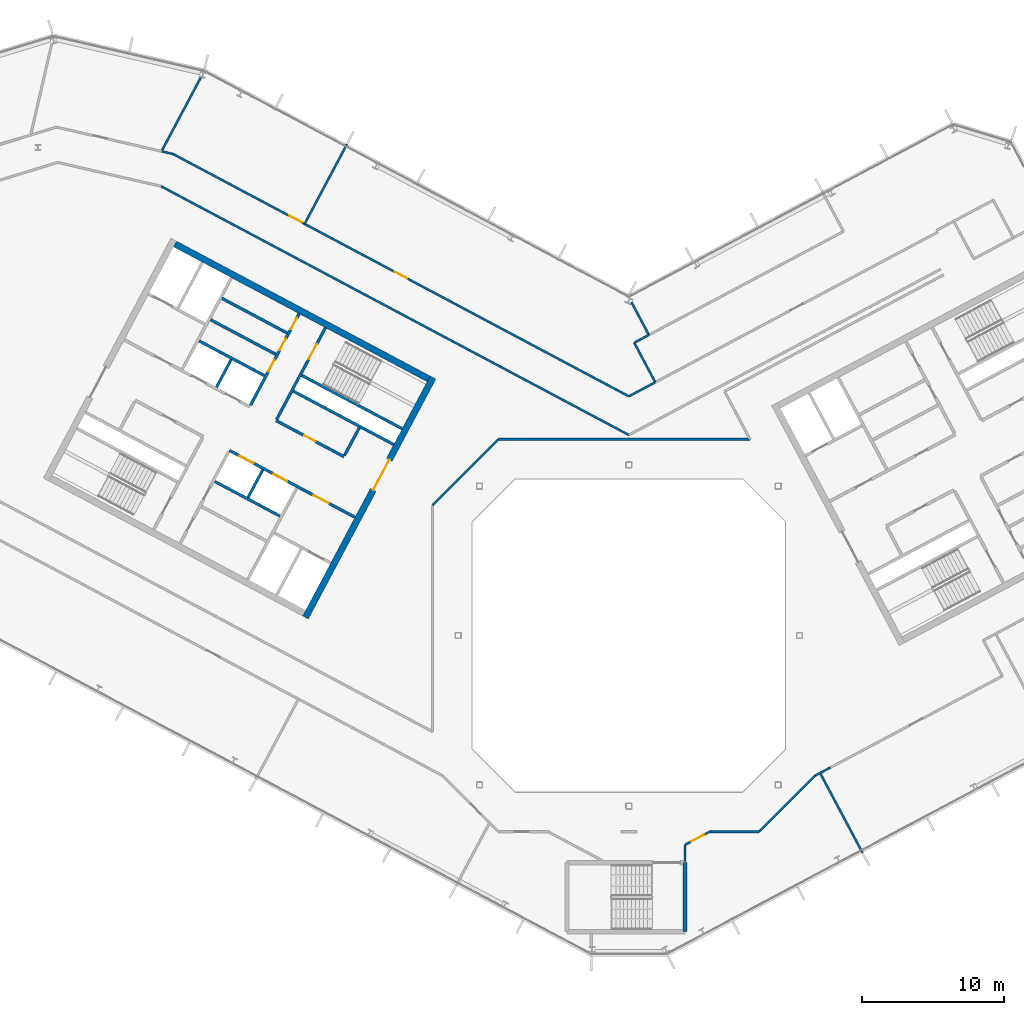
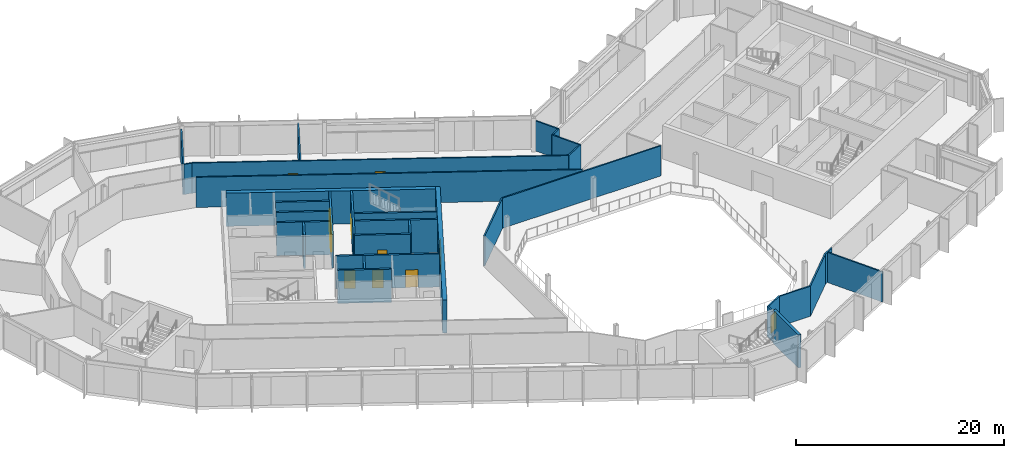
# One storey, part 15 of 26: 33 walls, 12 doors, 12 openings.
"""IFC4 building model written with IfcOpenShell, lengths in metres."""

from ifc_helpers import new_model, si_unit, direction, frame, frame_2d, origin, place, context, subcontext, project, spatial, rectangle, extrude, material, layer, layer_set, type_object, element, fill, save


model = new_model("IFC4")

# Units and contexts
model_context = context("Model", 3, precision=1e-05, world=origin(), true_north=direction((0.0, 1.0)))
body_context = subcontext(model_context, "Body", "Model", "MODEL_VIEW")
ifc_project = project(units=[si_unit("LENGTHUNIT", "METRE"), si_unit("AREAUNIT", "SQUARE_METRE"), si_unit("VOLUMEUNIT", "CUBIC_METRE"), si_unit("PLANEANGLEUNIT", "RADIAN"), si_unit("MASSUNIT", "GRAM", prefix="KILO")], contexts=[model_context])

# Site, building, storey
site_placement = place(None, origin())
site = spatial("IfcSite", under=ifc_project, at=site_placement, CompositionType="ELEMENT")
building_placement = place(site_placement, origin())
building = spatial("IfcBuilding", under=site, at=building_placement, Name="Cormorant Relay Tower", CompositionType="ELEMENT")
storey_placement = place(building_placement, frame((0.0, 0.0, 285.300048828125)))
storey = spatial("IfcBuildingStorey", under=building, at=storey_placement, Name="L64", CompositionType="ELEMENT", Elevation=285.300048828125)

# Walls
ifc_material_1 = material(Name="Concrete 40 MPa", Category="concrete")
ifc_layer_1 = layer(ifc_material_1, 0.199951171875)
ifc_layer_set_1 = layer_set([ifc_layer_1], Name="Core internal wall 200")
wall_type_1 = type_object("IfcWallType", Name="Core internal wall 200", PredefinedType="SOLIDWALL", material=ifc_layer_set_1)
wall_1_placement = place(storey_placement, frame((-25.744140625, 11.64990234375, 0.0), z_axis=(0.0, 0.0, 1.0), x_axis=(-0.469487830541, -0.882938942948, 0.0)))
element("IfcWall", 1, at=wall_1_placement, inside=storey, type_object=wall_type_1, Name="L64 core A shaft and room wall", PredefinedType="SOLIDWALL", context=body_context, shape_type="SweptSolid", body=[
    extrude(rectangle(XDim=2.2001953125, YDim=0.199951171875, at=frame_2d((1.10009765625, 0.0))), origin(), (0.0, 0.0, 1.0), 3.89990234375),
])
wall_2_placement = place(storey_placement, frame((-27.9658203125, 19.39990234375, 0.0), z_axis=(0.0, 0.0, 1.0), x_axis=(-0.4694473164, -0.882960484464, 0.0)))
element("IfcWall", 2, at=wall_2_placement, inside=storey, type_object=wall_type_1, Name="L64 core A shaft and room wall", PredefinedType="SOLIDWALL", context=body_context, shape_type="SweptSolid", body=[
    extrude(rectangle(XDim=2.199951171875, YDim=0.199951171875, at=frame_2d((1.10009765625, 0.0))), origin(), (0.0, 0.0, 1.0), 3.89990234375),
])
for number, where, z_axis, x_axis, name in (
    (3, (-24.02685546875, 21.26953125, 0.0), (0.0, 0.0, 1.0), (-0.882934506056, 0.469496174655, 0.0), "L64 core A shaft and room wall"),
    (4, (-24.824951171875, 19.7685546875, 0.0), (0.0, 0.0, 1.0), (-0.882934506056, 0.469496174655, 0.0), "L64 core A shaft and room wall"),
):
    element("IfcWall", number, at=place(storey_placement, frame(where, z_axis=z_axis, x_axis=x_axis)), inside=storey, type_object=wall_type_1, Name=name, PredefinedType="SOLIDWALL", context=body_context, shape_type="SweptSolid", body=[
        extrude(rectangle(XDim=5.199951171875, YDim=0.199951171875, at=frame_2d((2.60009765625, 0.0))), origin(), (0.0, 0.0, 1.0), 3.89990234375),
    ])
ifc_material_2 = material(Name="Concrete 50 MPa", Category="concrete")
ifc_layer_2 = layer(ifc_material_2, 0.199951171875)
ifc_layer_set_2 = layer_set([ifc_layer_2], Name="Core shaft wall 200")
wall_type_2 = type_object("IfcWallType", Name="Core shaft wall 200", PredefinedType="SHEAR", material=ifc_layer_set_2)
wall_3_placement = place(storey_placement, frame((-18.959716796875, 14.611328125, 0.0), z_axis=(0.0, 0.0, 1.0), x_axis=(-0.4694473164, -0.882960484464, 0.0)))
element("IfcWall", 5, at=wall_3_placement, inside=storey, type_object=wall_type_2, Name="L64 core A shaft wall", PredefinedType="SHEAR", context=body_context, shape_type="SweptSolid", body=[
    extrude(rectangle(XDim=2.199951171875, YDim=0.199951171875, at=frame_2d((1.10009765625, 0.0))), origin(), (0.0, 0.0, 1.0), 3.89990234375),
])

# Wall, opening, door
wall_4_placement = place(storey_placement, frame((-21.333251953125, 21.6494140625, 0.0), z_axis=(0.0, 0.0, 1.0), x_axis=(-0.469494272526, -0.882935517501, 0.0)))
wall_4 = element("IfcWall", 6, at=wall_4_placement, inside=storey, type_object=wall_type_2, Name="L64 core A shaft wall", PredefinedType="SHEAR", context=body_context, shape_type="SweptSolid", body=[
    extrude(rectangle(XDim=7.2998046875, YDim=0.199951171875, at=frame_2d((3.64990234375, 0.0))), origin(), (0.0, 0.0, 1.0), 3.89990234375),
])
opening_1_placement = place(wall_4_placement, frame((1.300048828125, 0.0, 0.0)))
opening_1 = element("IfcOpeningElement", 7, at=opening_1_placement, cuts=wall_4, Name="Opening CDB-038", PredefinedType="OPENING", context=body_context, shape_type="SweptSolid", body=[
    extrude(rectangle(XDim=1.199951171875, YDim=2.10009765625, at=frame_2d((0.60009765625, 1.050048828125))), frame((0.0, 0.10986328125, 0.0), z_axis=(0.0, -1.0, 0.0), x_axis=(1.0, 0.0, 0.0)), (0.0, 0.0, 1.0), 0.219970703125),
])
ifc_material_3 = material(Name="Steel fire door", Category="steel")
door_type_1 = type_object("IfcDoorType", Name="Core stair door 1200x2100", OperationType="SINGLE_SWING_LEFT", PredefinedType="DOOR", material=ifc_material_3)
door_1_placement = place(opening_1_placement, origin())
door_1 = element("IfcDoor", 8, at=door_1_placement, inside=storey, type_object=door_type_1, Name="Core stair door 1200x2100", OperationType="SINGLE_SWING_RIGHT", OverallHeight=2.10009765625, OverallWidth=1.199951171875, PredefinedType="DOOR", context=body_context, shape_type="SweptSolid", body=[
    extrude(rectangle(XDim=1.199951171875, YDim=2.10009765625, at=frame_2d((0.60009765625, 1.050048828125))), frame((0.0, 0.02490234375, 0.0), z_axis=(0.0, -1.0, 0.0), x_axis=(1.0, 0.0, 0.0)), (0.0, 0.0, 1.0), 0.050048828125),
])
fill(opening_1, door_1)

# Wall, openings, doors
wall_5_placement = place(storey_placement, frame((-23.1875, 22.635498046875, 0.0), z_axis=(0.0, 0.0, 1.0), x_axis=(-0.469454336211, -0.882956752176, 0.0)))
wall_5 = element("IfcWall", 9, at=wall_5_placement, inside=storey, type_object=wall_type_2, Name="L64 core A shaft wall", PredefinedType="SHEAR", context=body_context, shape_type="SweptSolid", body=[
    extrude(rectangle(XDim=7.300048828125, YDim=0.199951171875, at=frame_2d((3.64990234375, 0.0))), origin(), (0.0, 0.0, 1.0), 3.89990234375),
])
opening_2_placement = place(wall_5_placement, frame((0.35009765625, 0.0, 0.0)))
opening_2 = element("IfcOpeningElement", 10, at=opening_2_placement, cuts=wall_5, Name="Opening CDD-329", PredefinedType="OPENING", context=body_context, shape_type="SweptSolid", body=[
    extrude(rectangle(XDim=0.89990234375, YDim=2.10009765625, at=frame_2d((0.449951171875, 1.050048828125))), frame((0.0, 0.10986328125, 0.0), z_axis=(0.0, -1.0, 0.0), x_axis=(1.0, 0.0, 0.0)), (0.0, 0.0, 1.0), 0.219970703125),
])
opening_3_placement = place(wall_5_placement, frame((2.0, 0.0, 0.0)))
opening_3 = element("IfcOpeningElement", 11, at=opening_3_placement, cuts=wall_5, Name="Opening CDD-330", PredefinedType="OPENING", context=body_context, shape_type="SweptSolid", body=[
    extrude(rectangle(XDim=0.89990234375, YDim=2.10009765625, at=frame_2d((0.449951171875, 1.050048828125))), frame((0.0, 0.10986328125, 0.0), z_axis=(0.0, -1.0, 0.0), x_axis=(1.0, 0.0, 0.0)), (0.0, 0.0, 1.0), 0.219970703125),
])
opening_4_placement = place(wall_5_placement, frame((3.699951171875, 0.0, 0.0)))
opening_4 = element("IfcOpeningElement", 12, at=opening_4_placement, cuts=wall_5, Name="Opening CDD-331", PredefinedType="OPENING", context=body_context, shape_type="SweptSolid", body=[
    extrude(rectangle(XDim=0.89990234375, YDim=2.10009765625, at=frame_2d((0.449951171875, 1.050048828125))), frame((0.0, 0.10986328125, 0.0), z_axis=(0.0, -1.0, 0.0), x_axis=(1.0, 0.0, 0.0)), (0.0, 0.0, 1.0), 0.219970703125),
])
ifc_material_4 = material(Name="Steel fire door", Category="steel")
door_type_2 = type_object("IfcDoorType", Name="Core room door 900x2100", OperationType="SINGLE_SWING_LEFT", PredefinedType="DOOR", material=ifc_material_4)
door_2_placement = place(opening_2_placement, origin())
door_2 = element("IfcDoor", 13, at=door_2_placement, inside=storey, type_object=door_type_2, Name="Core room door 900x2100", OperationType="SINGLE_SWING_LEFT", OverallHeight=2.10009765625, OverallWidth=0.89990234375, PredefinedType="DOOR", context=body_context, shape_type="SweptSolid", body=[
    extrude(rectangle(XDim=0.89990234375, YDim=2.10009765625, at=frame_2d((0.449951171875, 1.050048828125))), frame((0.0, 0.02490234375, 0.0), z_axis=(0.0, -1.0, 0.0), x_axis=(1.0, 0.0, 0.0)), (0.0, 0.0, 1.0), 0.050048828125),
])
fill(opening_2, door_2)
door_3_placement = place(opening_3_placement, origin())
door_3 = element("IfcDoor", 14, at=door_3_placement, inside=storey, type_object=door_type_2, Name="Core room door 900x2100", OperationType="SINGLE_SWING_LEFT", OverallHeight=2.10009765625, OverallWidth=0.89990234375, PredefinedType="DOOR", context=body_context, shape_type="SweptSolid", body=[
    extrude(rectangle(XDim=0.89990234375, YDim=2.10009765625, at=frame_2d((0.449951171875, 1.050048828125))), frame((0.0, 0.02490234375, 0.0), z_axis=(0.0, -1.0, 0.0), x_axis=(1.0, 0.0, 0.0)), (0.0, 0.0, 1.0), 0.050048828125),
])
fill(opening_3, door_3)
door_4_placement = place(opening_4_placement, origin())
door_4 = element("IfcDoor", 15, at=door_4_placement, inside=storey, type_object=door_type_2, Name="Core room door 900x2100", OperationType="SINGLE_SWING_LEFT", OverallHeight=2.10009765625, OverallWidth=0.89990234375, PredefinedType="DOOR", context=body_context, shape_type="SweptSolid", body=[
    extrude(rectangle(XDim=0.89990234375, YDim=2.10009765625, at=frame_2d((0.449951171875, 1.050048828125))), frame((0.0, 0.02490234375, 0.0), z_axis=(0.0, -1.0, 0.0), x_axis=(1.0, 0.0, 0.0)), (0.0, 0.0, 1.0), 0.050048828125),
])
fill(opening_4, door_4)

# Walls
wall_6_placement = place(storey_placement, frame((-15.94189453125, 14.53564453125, 0.0), z_axis=(0.0, 0.0, 1.0), x_axis=(-0.882946947542, 0.469472776449, 0.0)))
element("IfcWall", 16, at=wall_6_placement, inside=storey, type_object=wall_type_2, Name="L64 core A shaft wall", PredefinedType="SHEAR", context=body_context, shape_type="SweptSolid", body=[
    extrude(rectangle(XDim=8.000244140625, YDim=0.199951171875, at=frame_2d((4.0, 0.0))), origin(), (0.0, 0.0, 1.0), 3.89990234375),
])
wall_7_placement = place(storey_placement, frame((-16.52880859375, 13.43212890625, 0.0), z_axis=(0.0, 0.0, 1.0), x_axis=(-0.88295287151, 0.469461634952, 0.0)))
element("IfcWall", 17, at=wall_7_placement, inside=storey, type_object=wall_type_2, Name="L64 core A shaft wall", PredefinedType="SHEAR", context=body_context, shape_type="SweptSolid", body=[
    extrude(rectangle(XDim=7.999755859375, YDim=0.199951171875, at=frame_2d((4.0, 0.0))), origin(), (0.0, 0.0, 1.0), 3.89990234375),
])
wall_8_placement = place(storey_placement, frame((-25.623046875, 18.267578125, 0.0), z_axis=(0.0, 0.0, 1.0), x_axis=(-0.882953967957, 0.469459572775, 0.0)))
element("IfcWall", 18, at=wall_8_placement, inside=storey, type_object=wall_type_2, Name="L64 core A shaft wall", PredefinedType="SHEAR", context=body_context, shape_type="SweptSolid", body=[
    extrude(rectangle(XDim=5.199951171875, YDim=0.199951171875, at=frame_2d((2.60009765625, 0.0))), origin(), (0.0, 0.0, 1.0), 3.89990234375),
])

# Wall, opening, door
wall_9_placement = place(storey_placement, frame((-20.03955078125, 12.58056640625, 0.0), z_axis=(0.0, 0.0, 1.0), x_axis=(-0.882942972946, 0.469480251476, 0.0)))
wall_9 = element("IfcWall", 19, at=wall_9_placement, inside=storey, type_object=wall_type_2, Name="L64 core A shaft wall", PredefinedType="SHEAR", context=body_context, shape_type="SweptSolid", body=[
    extrude(rectangle(XDim=5.39990234375, YDim=0.199951171875, at=frame_2d((2.699951171875, 0.0))), origin(), (0.0, 0.0, 1.0), 3.89990234375),
])
opening_5_placement = place(wall_9_placement, frame((2.25, 0.0, 0.0)))
opening_5 = element("IfcOpeningElement", 20, at=opening_5_placement, cuts=wall_9, Name="Opening CDD-319", PredefinedType="OPENING", context=body_context, shape_type="SweptSolid", body=[
    extrude(rectangle(XDim=0.89990234375, YDim=2.10009765625, at=frame_2d((0.449951171875, 1.050048828125))), frame((0.0, 0.10986328125, 0.0), z_axis=(0.0, -1.0, 0.0), x_axis=(1.0, 0.0, 0.0)), (0.0, 0.0, 1.0), 0.219970703125),
])
door_5_placement = place(opening_5_placement, origin())
door_5 = element("IfcDoor", 21, at=door_5_placement, inside=storey, type_object=door_type_2, Name="Core room door 900x2100", OperationType="SINGLE_SWING_LEFT", OverallHeight=2.10009765625, OverallWidth=0.89990234375, PredefinedType="DOOR", context=body_context, shape_type="SweptSolid", body=[
    extrude(rectangle(XDim=0.89990234375, YDim=2.10009765625, at=frame_2d((0.449951171875, 1.050048828125))), frame((0.0, 0.02490234375, 0.0), z_axis=(0.0, -1.0, 0.0), x_axis=(1.0, 0.0, 0.0)), (0.0, 0.0, 1.0), 0.050048828125),
])
fill(opening_5, door_5)

# Wall, openings, doors
wall_10_placement = place(storey_placement, frame((-19.251708984375, 8.31103515625, 0.0), z_axis=(0.0, 0.0, 1.0), x_axis=(-0.882955722218, 0.469456273365, 0.0)))
wall_10 = element("IfcWall", 22, at=wall_10_placement, inside=storey, type_object=wall_type_2, Name="L64 core A shaft wall", PredefinedType="SHEAR", context=body_context, shape_type="SweptSolid", body=[
    extrude(rectangle(XDim=10.0, YDim=0.199951171875, at=frame_2d((5.0, 0.0))), origin(), (0.0, 0.0, 1.0), 3.89990234375),
])
opening_6_placement = place(wall_10_placement, frame((2.10009765625, 0.0, 0.0)))
opening_6 = element("IfcOpeningElement", 23, at=opening_6_placement, cuts=wall_10, Name="Opening CDC-033", PredefinedType="OPENING", context=body_context, shape_type="SweptSolid", body=[
    extrude(rectangle(XDim=1.199951171875, YDim=2.10009765625, at=frame_2d((0.60009765625, 1.050048828125))), frame((0.0, 0.10986328125, 0.0), z_axis=(0.0, -1.0, 0.0), x_axis=(1.0, 0.0, 0.0)), (0.0, 0.0, 1.0), 0.219970703125),
])
opening_7_placement = place(wall_10_placement, frame((5.39990234375, 0.0, 0.0)))
opening_7 = element("IfcOpeningElement", 24, at=opening_7_placement, cuts=wall_10, Name="Opening LD1-065", PredefinedType="OPENING", context=body_context, shape_type="SweptSolid", body=[
    extrude(rectangle(XDim=1.10009765625, YDim=2.10009765625, at=frame_2d((0.550048828125, 1.050048828125))), frame((0.0, 0.10986328125, 0.0), z_axis=(0.0, -1.0, 0.0), x_axis=(1.0, 0.0, 0.0)), (0.0, 0.0, 1.0), 0.219970703125),
])
opening_8_placement = place(wall_10_placement, frame((8.10009765625, 0.0, 0.0)))
opening_8 = element("IfcOpeningElement", 25, at=opening_8_placement, cuts=wall_10, Name="Opening LD1-066", PredefinedType="OPENING", context=body_context, shape_type="SweptSolid", body=[
    extrude(rectangle(XDim=1.10009765625, YDim=2.10009765625, at=frame_2d((0.550048828125, 1.050048828125))), frame((0.0, 0.10986328125, 0.0), z_axis=(0.0, -1.0, 0.0), x_axis=(1.0, 0.0, 0.0)), (0.0, 0.0, 1.0), 0.219970703125),
])
ifc_material_5 = material(Name="Steel fire door", Category="steel")
door_type_3 = type_object("IfcDoorType", Name="Core lobby door 1200x2100", OperationType="SINGLE_SWING_LEFT", PredefinedType="DOOR", material=ifc_material_5)
door_6_placement = place(opening_6_placement, origin())
door_6 = element("IfcDoor", 26, at=door_6_placement, inside=storey, type_object=door_type_3, Name="Core lobby door 1200x2100", OperationType="SINGLE_SWING_RIGHT", OverallHeight=2.10009765625, OverallWidth=1.199951171875, PredefinedType="DOOR", context=body_context, shape_type="SweptSolid", body=[
    extrude(rectangle(XDim=1.199951171875, YDim=2.10009765625, at=frame_2d((0.60009765625, 1.050048828125))), frame((0.0, 0.02490234375, 0.0), z_axis=(0.0, -1.0, 0.0), x_axis=(1.0, 0.0, 0.0)), (0.0, 0.0, 1.0), 0.050048828125),
])
fill(opening_6, door_6)
ifc_material_6 = material(Name="Stainless steel 316", Category="steel")
door_type_4 = type_object("IfcDoorType", Name="Lift landing door 1100x2100", OperationType="DOUBLE_DOOR_SLIDING", PredefinedType="DOOR", material=ifc_material_6)
door_7_placement = place(opening_7_placement, origin())
door_7 = element("IfcDoor", 27, at=door_7_placement, inside=storey, type_object=door_type_4, Name="HR1 landing door", OperationType="DOUBLE_DOOR_SLIDING", OverallHeight=2.10009765625, OverallWidth=1.10009765625, PredefinedType="DOOR", context=body_context, shape_type="SweptSolid", body=[
    extrude(rectangle(XDim=1.10009765625, YDim=2.10009765625, at=frame_2d((0.550048828125, 1.050048828125))), frame((0.0, 0.02490234375, 0.0), z_axis=(0.0, -1.0, 0.0), x_axis=(1.0, 0.0, 0.0)), (0.0, 0.0, 1.0), 0.050048828125),
])
fill(opening_7, door_7)
door_8_placement = place(opening_8_placement, origin())
door_8 = element("IfcDoor", 28, at=door_8_placement, inside=storey, type_object=door_type_4, Name="HR2 landing door", OperationType="DOUBLE_DOOR_SLIDING", OverallHeight=2.10009765625, OverallWidth=1.10009765625, PredefinedType="DOOR", context=body_context, shape_type="SweptSolid", body=[
    extrude(rectangle(XDim=1.10009765625, YDim=2.10009765625, at=frame_2d((0.550048828125, 1.050048828125))), frame((0.0, 0.02490234375, 0.0), z_axis=(0.0, -1.0, 0.0), x_axis=(1.0, 0.0, 0.0)), (0.0, 0.0, 1.0), 0.050048828125),
])
fill(opening_8, door_8)

# Wall
wall_11_placement = place(storey_placement, frame((-24.5283203125, 8.3984375, 0.0), z_axis=(0.0, 0.0, 1.0), x_axis=(-0.882953967957, 0.469459572775, 0.0)))
element("IfcWall", 29, at=wall_11_placement, inside=storey, type_object=wall_type_2, Name="L64 core A shaft wall", PredefinedType="SHEAR", context=body_context, shape_type="SweptSolid", body=[
    extrude(rectangle(XDim=5.199951171875, YDim=0.199951171875, at=frame_2d((2.60009765625, 0.0))), origin(), (0.0, 0.0, 1.0), 3.89990234375),
])

# Wall, opening, door
ifc_material_7 = material(Name="Concrete 50 MPa", Category="concrete")
ifc_layer_3 = layer(ifc_material_7, 0.449951171875)
ifc_layer_set_3 = layer_set([ifc_layer_3], Name="Core wall 450")
wall_type_3 = type_object("IfcWallType", Name="Core wall 450", PredefinedType="SHEAR", material=ifc_layer_set_3)
wall_12_placement = place(storey_placement, frame((-13.771484375, 18.138427734375, 0.0), z_axis=(0.0, 0.0, 1.0), x_axis=(-0.469467968382, -0.882949504028, 0.0)))
wall_12 = element("IfcWall", 30, at=wall_12_placement, inside=storey, type_object=wall_type_3, Name="L64 core A wall", PredefinedType="SHEAR", context=body_context, shape_type="SweptSolid", body=[
    extrude(rectangle(XDim=19.099853515625, YDim=0.449951171875, at=frame_2d((9.5498046875, 0.0))), origin(), (0.0, 0.0, 1.0), 3.89990234375),
])
opening_9_placement = place(wall_12_placement, frame((6.550048828125, 0.0, 0.0)))
opening_9 = element("IfcOpeningElement", 31, at=opening_9_placement, cuts=wall_12, Name="Opening CDA-050", PredefinedType="OPENING", context=body_context, shape_type="SweptSolid", body=[
    extrude(rectangle(XDim=2.39990234375, YDim=2.39990234375, at=frame_2d((1.199951171875, 1.199951171875))), frame((0.0, 0.23486328125, 0.0), z_axis=(0.0, -1.0, 0.0), x_axis=(1.0, 0.0, 0.0)), (0.0, 0.0, 1.0), 0.469970703125),
])
ifc_material_8 = material(Name="Steel fire door", Category="steel")
door_type_5 = type_object("IfcDoorType", Name="Core lobby door 2400x2400", OperationType="DOUBLE_DOOR_SINGLE_SWING", PredefinedType="DOOR", material=ifc_material_8)
door_9_placement = place(opening_9_placement, origin())
door_9 = element("IfcDoor", 32, at=door_9_placement, inside=storey, type_object=door_type_5, Name="Core lobby door 2400x2400", OperationType="DOUBLE_DOOR_SINGLE_SWING", OverallHeight=2.39990234375, OverallWidth=2.39990234375, PredefinedType="DOOR", context=body_context, shape_type="SweptSolid", body=[
    extrude(rectangle(XDim=2.39990234375, YDim=2.39990234375, at=frame_2d((1.199951171875, 1.199951171875))), frame((0.0, 0.02490234375, 0.0), z_axis=(0.0, -1.0, 0.0), x_axis=(1.0, 0.0, 0.0)), (0.0, 0.0, 1.0), 0.050048828125),
])
fill(opening_9, door_9)

# Walls
wall_13_placement = place(storey_placement, frame((-14.07568359375, 18.04541015625, 0.0), z_axis=(0.0, 0.0, 1.0), x_axis=(-0.882947755831, 0.46947125628, 0.0)))
element("IfcWall", 33, at=wall_13_placement, inside=storey, type_object=wall_type_3, Name="L64 core A wall", PredefinedType="SHEAR", context=body_context, shape_type="SweptSolid", body=[
    extrude(rectangle(XDim=20.2001953125, YDim=0.449951171875, at=frame_2d((10.10009765625, 0.0))), origin(), (0.0, 0.0, 1.0), 3.89990234375),
])
ifc_material_9 = material(Name="Gypsum board fire partition")
ifc_layer_4 = layer(ifc_material_9, 0.14990234375)
ifc_layer_set_4 = layer_set([ifc_layer_4], Name="Corridor partition 150 EI 60")
wall_type_4 = type_object("IfcWallType", Name="Corridor partition 150 EI 60", PredefinedType="PARTITIONING", material=ifc_layer_set_4)
wall_14_placement = place(storey_placement, frame((-32.89404296875, 31.590087890625, 0.0), z_axis=(0.0, 0.0, 1.0), x_axis=(0.882948512555, -0.469469833085, 0.0)))
element("IfcWall", 34, at=wall_14_placement, inside=storey, type_object=wall_type_4, Name="wall/L64/part/023", PredefinedType="PARTITIONING", context=body_context, shape_type="SweptSolid", body=[
    extrude(rectangle(XDim=37.2548828125, YDim=0.14990234375, at=frame_2d((18.62744140625, 0.0))), origin(), (0.0, 0.0, 1.0), 3.5400390625),
])
wall_15_placement = place(storey_placement, frame((8.51806640625, 13.800048828125, 0.0), z_axis=(0.0, 0.0, 1.0), x_axis=(-1.0, 0.0, 0.0)))
element("IfcWall", 35, at=wall_15_placement, inside=storey, type_object=wall_type_4, Name="wall/L64/part/027", PredefinedType="PARTITIONING", context=body_context, shape_type="SweptSolid", body=[
    extrude(rectangle(XDim=17.677978515625, YDim=0.14990234375, at=frame_2d((8.8388671875, 0.0))), origin(), (0.0, 0.0, 1.0), 3.5400390625),
])
wall_16_placement = place(storey_placement, frame((-9.159912109375, 13.800048828125, 0.0), z_axis=(0.0, 0.0, 1.0), x_axis=(-0.707106781187, -0.707106781187, 0.0)))
element("IfcWall", 36, at=wall_16_placement, inside=storey, type_object=wall_type_4, Name="wall/L64/part/028", PredefinedType="PARTITIONING", context=body_context, shape_type="SweptSolid", body=[
    extrude(rectangle(XDim=6.562255859375, YDim=0.14990234375, at=frame_2d((3.28125, 0.0))), origin(), (0.0, 0.0, 1.0), 3.5400390625),
])
wall_17_placement = place(storey_placement, frame((-32.0458984375, 33.85791015625, 0.0), z_axis=(0.0, 0.0, 1.0), x_axis=(-0.97423893818, 0.225518272727, 0.0)))
element("IfcWall", 37, at=wall_17_placement, inside=storey, type_object=wall_type_4, Name="wall/L64/part/042", PredefinedType="PARTITIONING", context=body_context, shape_type="SweptSolid", body=[
    extrude(rectangle(XDim=0.81201171875, YDim=0.14990234375, at=frame_2d((0.406005859375, 0.0))), origin(), (0.0, 0.0, 1.0), 3.5400390625),
])

# Wall, openings, doors
wall_18_placement = place(storey_placement, frame((-32.0458984375, 33.85791015625, 0.0), z_axis=(0.0, 0.0, 1.0), x_axis=(0.882950883098, -0.469465374694, 0.0)))
wall_18 = element("IfcWall", 38, at=wall_18_placement, inside=storey, type_object=wall_type_4, Name="wall/L64/part/043", PredefinedType="PARTITIONING", context=body_context, shape_type="SweptSolid", body=[
    extrude(rectangle(XDim=36.294189453125, YDim=0.14990234375, at=frame_2d((18.14697265625, 0.0))), origin(), (0.0, 0.0, 1.0), 3.5400390625),
])
opening_10_placement = place(wall_18_placement, frame((17.64990234375, 0.0, 0.0)))
opening_10 = element("IfcOpeningElement", 39, at=opening_10_placement, cuts=wall_18, Name="Opening DS-221", PredefinedType="OPENING", context=body_context, shape_type="SweptSolid", body=[
    extrude(rectangle(XDim=1.0, YDim=2.10009765625, at=frame_2d((0.5, 1.050048828125))), frame((0.0, 0.0849609375, 0.0), z_axis=(0.0, -1.0, 0.0), x_axis=(1.0, 0.0, 0.0)), (0.0, 0.0, 1.0), 0.169921875),
])
opening_11_placement = place(wall_18_placement, frame((9.25, 0.0, 0.0)))
opening_11 = element("IfcOpeningElement", 40, at=opening_11_placement, cuts=wall_18, Name="Opening DS-222", PredefinedType="OPENING", context=body_context, shape_type="SweptSolid", body=[
    extrude(rectangle(XDim=1.0, YDim=2.10009765625, at=frame_2d((0.5, 1.050048828125))), frame((0.0, 0.0849609375, 0.0), z_axis=(0.0, -1.0, 0.0), x_axis=(1.0, 0.0, 0.0)), (0.0, 0.0, 1.0), 0.169921875),
])
ifc_material_10 = material(Name="Timber door leaf", Category="wood")
door_type_6 = type_object("IfcDoorType", Name="Suite door 1000x2100", OperationType="SINGLE_SWING_LEFT", PredefinedType="DOOR", material=ifc_material_10)
door_10_placement = place(opening_10_placement, origin())
door_10 = element("IfcDoor", 41, at=door_10_placement, inside=storey, type_object=door_type_6, Name="door/L64/006", OperationType="SINGLE_SWING_RIGHT", OverallHeight=2.10009765625, OverallWidth=1.0, PredefinedType="DOOR", context=body_context, shape_type="SweptSolid", body=[
    extrude(rectangle(XDim=1.0, YDim=2.10009765625, at=frame_2d((0.5, 1.050048828125))), frame((0.0, 0.02490234375, 0.0), z_axis=(0.0, -1.0, 0.0), x_axis=(1.0, 0.0, 0.0)), (0.0, 0.0, 1.0), 0.050048828125),
])
fill(opening_10, door_10)
door_11_placement = place(opening_11_placement, origin())
door_11 = element("IfcDoor", 42, at=door_11_placement, inside=storey, type_object=door_type_6, Name="door/L64/007", OperationType="SINGLE_SWING_RIGHT", OverallHeight=2.10009765625, OverallWidth=1.0, PredefinedType="DOOR", context=body_context, shape_type="SweptSolid", body=[
    extrude(rectangle(XDim=1.0, YDim=2.10009765625, at=frame_2d((0.5, 1.050048828125))), frame((0.0, 0.02490234375, 0.0), z_axis=(0.0, -1.0, 0.0), x_axis=(1.0, 0.0, 0.0)), (0.0, 0.0, 1.0), 0.050048828125),
])
fill(opening_11, door_11)

# Wall
wall_19_placement = place(storey_placement, frame((0.0, 16.819091796875, 0.0), z_axis=(0.0, 0.0, 1.0), x_axis=(0.882886662494, 0.4695861382, 0.0)))
element("IfcWall", 43, at=wall_19_placement, inside=storey, type_object=wall_type_4, Name="wall/L64/part/044", PredefinedType="PARTITIONING", context=body_context, shape_type="SweptSolid", body=[
    extrude(rectangle(XDim=2.1123046875, YDim=0.14990234375, at=frame_2d((1.05615234375, 0.0))), origin(), (0.0, 0.0, 1.0), 3.5400390625),
])

# Wall, opening, door
wall_20_placement = place(storey_placement, frame((5.756103515625, -13.758056640625, 0.0), z_axis=(0.0, 0.0, 1.0), x_axis=(-0.883026069627, -0.469323939683, 0.0)))
wall_20 = element("IfcWall", 44, at=wall_20_placement, inside=storey, type_object=wall_type_4, Name="wall/L64/part/057", PredefinedType="PARTITIONING", context=body_context, shape_type="SweptSolid", body=[
    extrude(rectangle(XDim=2.04541015625, YDim=0.14990234375, at=frame_2d((1.022705078125, 0.0))), origin(), (0.0, 0.0, 1.0), 3.5400390625),
])
opening_12_placement = place(wall_20_placement, frame((0.5400390625, 0.0, 0.0)))
opening_12 = element("IfcOpeningElement", 45, at=opening_12_placement, cuts=wall_20, Name="Opening DS-217", PredefinedType="OPENING", context=body_context, shape_type="SweptSolid", body=[
    extrude(rectangle(XDim=1.0, YDim=2.10009765625, at=frame_2d((0.5, 1.050048828125))), frame((0.0, 0.0849609375, 0.0), z_axis=(0.0, -1.0, 0.0), x_axis=(1.0, 0.0, 0.0)), (0.0, 0.0, 1.0), 0.169921875),
])
door_12_placement = place(opening_12_placement, origin())
door_12 = element("IfcDoor", 46, at=door_12_placement, inside=storey, type_object=door_type_6, Name="door/L64/002", OperationType="SINGLE_SWING_RIGHT", OverallHeight=2.10009765625, OverallWidth=1.0, PredefinedType="DOOR", context=body_context, shape_type="SweptSolid", body=[
    extrude(rectangle(XDim=1.0, YDim=2.10009765625, at=frame_2d((0.5, 1.050048828125))), frame((0.0, 0.02490234375, 0.0), z_axis=(0.0, -1.0, 0.0), x_axis=(1.0, 0.0, 0.0)), (0.0, 0.0, 1.0), 0.050048828125),
])
fill(opening_12, door_12)

# Walls
wall_21_placement = place(storey_placement, frame((3.949951171875, -14.718017578125, 0.0), z_axis=(0.0, 0.0, 1.0), x_axis=(0.0, -1.0, 0.0)))
element("IfcWall", 47, at=wall_21_placement, inside=storey, type_object=wall_type_4, Name="wall/L64/part/058", PredefinedType="PARTITIONING", context=body_context, shape_type="SweptSolid", body=[
    extrude(rectangle(XDim=1.156982421875, YDim=0.14990234375, at=frame_2d((0.57861328125, 0.0))), origin(), (0.0, 0.0, 1.0), 3.5400390625),
])
wall_22_placement = place(storey_placement, frame((13.114013671875, -9.845947265625, 0.0), z_axis=(0.0, 0.0, 1.0), x_axis=(-0.707106781187, -0.707106781187, 0.0)))
element("IfcWall", 48, at=wall_22_placement, inside=storey, type_object=wall_type_4, Name="wall/L64/part/059", PredefinedType="PARTITIONING", context=body_context, shape_type="SweptSolid", body=[
    extrude(rectangle(XDim=5.592041015625, YDim=0.14990234375, at=frame_2d((2.7958984375, 0.0))), origin(), (0.0, 0.0, 1.0), 3.5400390625),
])
wall_23_placement = place(storey_placement, frame((9.159912109375, -13.800048828125, 0.0), z_axis=(0.0, 0.0, 1.0), x_axis=(-1.0, 0.0, 0.0)))
element("IfcWall", 49, at=wall_23_placement, inside=storey, type_object=wall_type_4, Name="wall/L64/part/060", PredefinedType="PARTITIONING", context=body_context, shape_type="SweptSolid", body=[
    extrude(rectangle(XDim=3.447998046875, YDim=0.14990234375, at=frame_2d((1.72412109375, 0.0))), origin(), (0.0, 0.0, 1.0), 3.5400390625),
])
wall_24_placement = place(storey_placement, frame((14.1708984375, -9.283935546875, 0.0), z_axis=(0.0, 0.0, 1.0), x_axis=(-0.88292815798, -0.469508112652, 0.0)))
element("IfcWall", 50, at=wall_24_placement, inside=storey, type_object=wall_type_4, Name="wall/L64/part/062", PredefinedType="PARTITIONING", context=body_context, shape_type="SweptSolid", body=[
    extrude(rectangle(XDim=1.197021484375, YDim=0.14990234375, at=frame_2d((0.5986328125, 0.0))), origin(), (0.0, 0.0, 1.0), 3.5400390625),
])
ifc_material_11 = material(Name="Concrete 50 MPa", Category="concrete")
ifc_layer_5 = layer(ifc_material_11, 0.300048828125)
ifc_layer_set_5 = layer_set([ifc_layer_5], Name="Remote stair wall 300")
wall_type_5 = type_object("IfcWallType", Name="Remote stair wall 300", PredefinedType="SHEAR", material=ifc_layer_set_5)
wall_25_placement = place(storey_placement, frame((3.949951171875, -15.97509765625, 0.0), z_axis=(0.0, 0.0, 1.0), x_axis=(0.0, -1.0, 0.0)))
element("IfcWall", 51, at=wall_25_placement, inside=storey, type_object=wall_type_5, Name="L64 exit stair RK1 wall", PredefinedType="SHEAR", context=body_context, shape_type="SweptSolid", body=[
    extrude(rectangle(XDim=4.849853515625, YDim=0.300048828125, at=frame_2d((2.4248046875, 0.0))), origin(), (0.0, 0.0, 1.0), 3.89990234375),
])
ifc_material_12 = material(Name="Gypsum board partition")
ifc_layer_6 = layer(ifc_material_12, 0.14990234375)
ifc_layer_set_6 = layer_set([ifc_layer_6], Name="Tenant partition 150")
wall_type_6 = type_object("IfcWallType", Name="Tenant partition 150", PredefinedType="PARTITIONING", material=ifc_layer_set_6)
wall_26_placement = place(storey_placement, frame((-30.097900390625, 39.2470703125, 0.0), z_axis=(0.0, 0.0, 1.0), x_axis=(-0.469421875668, -0.882974010175, 0.0)))
element("IfcWall", 52, at=wall_26_placement, inside=storey, type_object=wall_type_6, Name="wall/L64/part/041", PredefinedType="PARTITIONING", context=body_context, shape_type="SweptSolid", body=[
    extrude(rectangle(XDim=5.890625, YDim=0.14990234375, at=frame_2d((2.9453125, 0.0))), origin(), (0.0, 0.0, 1.0), 3.5400390625),
])
wall_27_placement = place(storey_placement, frame((-19.822021484375, 34.550048828125, 0.0), z_axis=(0.0, 0.0, 1.0), x_axis=(-0.469434431685, -0.882967334814, 0.0)))
element("IfcWall", 53, at=wall_27_placement, inside=storey, type_object=wall_type_6, Name="wall/L64/part/045", PredefinedType="PARTITIONING", context=body_context, shape_type="SweptSolid", body=[
    extrude(rectangle(XDim=6.35009765625, YDim=0.14990234375, at=frame_2d((3.175048828125, 0.0))), origin(), (0.0, 0.0, 1.0), 3.5400390625),
])
wall_28_placement = place(storey_placement, frame((0.37890625, 20.5869140625, 0.0), z_axis=(0.0, 0.0, 1.0), x_axis=(0.469549985402, -0.882905890347, 0.0)))
element("IfcWall", 54, at=wall_28_placement, inside=storey, type_object=wall_type_6, Name="wall/L64/part/047", PredefinedType="PARTITIONING", context=body_context, shape_type="SweptSolid", body=[
    extrude(rectangle(XDim=3.14990234375, YDim=0.14990234375, at=frame_2d((1.574951171875, 0.0))), origin(), (0.0, 0.0, 1.0), 3.5400390625),
])
wall_29_placement = place(storey_placement, frame((0.177978515625, 23.449951171875, 0.0), z_axis=(0.0, 0.0, 1.0), x_axis=(0.469495603372, -0.882934809833, 0.0)))
element("IfcWall", 55, at=wall_29_placement, inside=storey, type_object=wall_type_6, Name="wall/L64/part/052", PredefinedType="PARTITIONING", context=body_context, shape_type="SweptSolid", body=[
    extrude(rectangle(XDim=2.621826171875, YDim=0.14990234375, at=frame_2d((1.31103515625, 0.0))), origin(), (0.0, 0.0, 1.0), 3.5400390625),
])
wall_30_placement = place(storey_placement, frame((1.406005859375, 21.134033203125, 0.0), z_axis=(0.0, 0.0, 1.0), x_axis=(-0.882590930183, -0.470141733905, 0.0)))
element("IfcWall", 56, at=wall_30_placement, inside=storey, type_object=wall_type_6, Name="wall/L64/part/053", PredefinedType="PARTITIONING", context=body_context, shape_type="SweptSolid", body=[
    extrude(rectangle(XDim=1.163818359375, YDim=0.14990234375, at=frame_2d((0.58203125, 0.0))), origin(), (0.0, 0.0, 1.0), 3.5400390625),
])
wall_31_placement = place(storey_placement, frame((13.447021484375, -9.6689453125, 0.0), z_axis=(0.0, 0.0, 1.0), x_axis=(0.4696180742, -0.882869675764, 0.0)))
element("IfcWall", 57, at=wall_31_placement, inside=storey, type_object=wall_type_6, Name="wall/L64/part/061", PredefinedType="PARTITIONING", context=body_context, shape_type="SweptSolid", body=[
    extrude(rectangle(XDim=6.349609375, YDim=0.14990234375, at=frame_2d((3.1748046875, 0.0))), origin(), (0.0, 0.0, 1.0), 3.5400390625),
])

save(model, "model.ifc")
